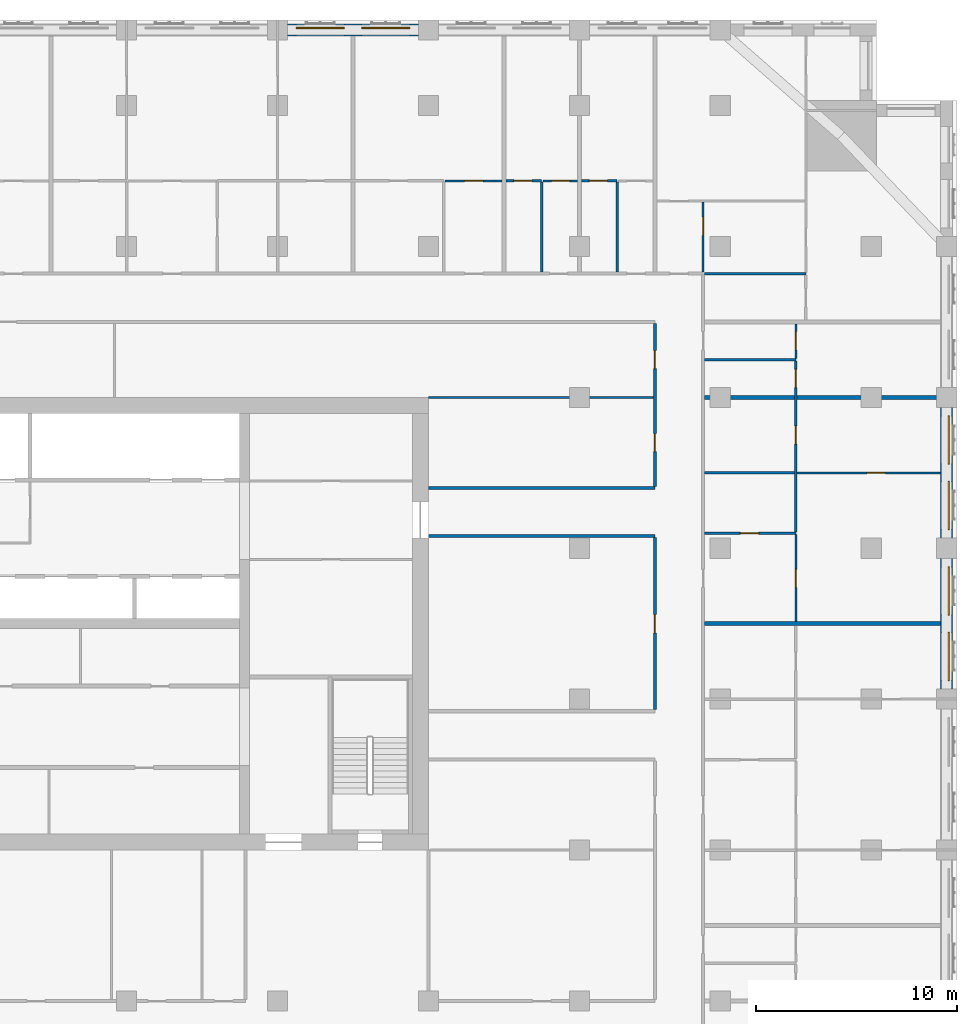
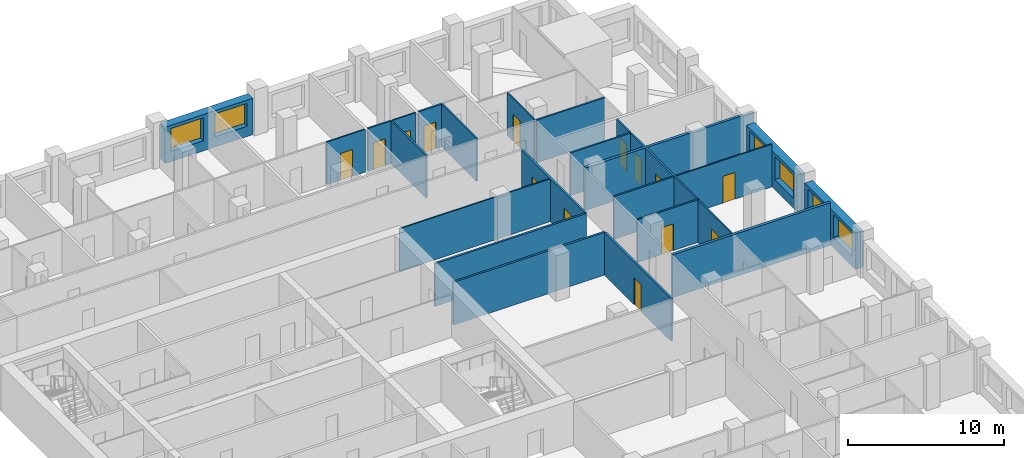
# One storey, part 10 of 14: 25 walls, 14 doors, 6 windows, 20 openings.
"""IFC4 building model written with IfcOpenShell, lengths in metres."""

from ifc_helpers import new_model, si_unit, direction, frame, frame_2d, origin, place, context, subcontext, project, spatial, rectangle, extrude, material, layer, layer_set, type_object, element, fill, save


model = new_model("IFC4")

# Units and contexts
model_context = context("Model", 3, precision=1e-05, world=origin(), true_north=direction((0.0, 1.0)))
body_context = subcontext(model_context, "Body", "Model", "MODEL_VIEW")
ifc_project = project(units=[si_unit("LENGTHUNIT", "METRE"), si_unit("AREAUNIT", "SQUARE_METRE"), si_unit("VOLUMEUNIT", "CUBIC_METRE"), si_unit("PLANEANGLEUNIT", "RADIAN"), si_unit("MASSUNIT", "GRAM", prefix="KILO")], contexts=[model_context])

# Site, building, storey
site_placement = place(None, origin())
site = spatial("IfcSite", under=ifc_project, at=site_placement, CompositionType="ELEMENT")
building_placement = place(site_placement, origin())
building = spatial("IfcBuilding", under=site, at=building_placement, Name="Tamorin Gate", CompositionType="ELEMENT")
storey_placement = place(building_placement, frame((0.0, 0.0, 137.39990234375)))
storey = spatial("IfcBuildingStorey", under=building, at=storey_placement, Name="L33", CompositionType="ELEMENT", Elevation=137.39990234375)

# Wall, openings, windows
ifc_material_1 = material(Name="Precast concrete C40/50", Category="concrete")
ifc_layer_1 = layer(ifc_material_1, 0.60009765625)
ifc_layer_set_1 = layer_set([ifc_layer_1], Name="Precast concrete C40/50")
wall_type_1 = type_object("IfcWallType", Name="Board-marked concrete facade panel 600", PredefinedType="SOLIDWALL", material=ifc_layer_set_1)
wall_1_placement = place(storey_placement, frame((85.75, 68.0, 0.0), z_axis=(0.0, 0.0, 1.0), x_axis=(0.0, 1.0, 0.0)))
wall_1 = element("IfcWall", 1, at=wall_1_placement, inside=storey, type_object=wall_type_1, Name="Facade panel", PredefinedType="SOLIDWALL", context=body_context, shape_type="SweptSolid", body=[
    extrude(rectangle(XDim=6.5, YDim=0.60009765625, at=frame_2d((3.25, 0.0))), origin(), (0.0, 0.0, 1.0), 2.85009765625),
])
opening_1_placement = place(wall_1_placement, frame((0.425048828125, 0.0, 0.800048828125)))
opening_1 = element("IfcOpeningElement", 2, at=opening_1_placement, cuts=wall_1, Name="Opening WN1", PredefinedType="OPENING", context=body_context, shape_type="SweptSolid", body=[
    extrude(rectangle(XDim=2.39990234375, YDim=1.800048828125, at=frame_2d((1.199951171875, 0.89990234375))), frame((0.0, 0.31005859375, 0.0), z_axis=(0.0, -1.0, 0.0), x_axis=(1.0, 0.0, 0.0)), (0.0, 0.0, 1.0), 0.6201171875),
])
opening_2_placement = place(wall_1_placement, frame((3.675048828125, 0.0, 0.800048828125)))
opening_2 = element("IfcOpeningElement", 3, at=opening_2_placement, cuts=wall_1, Name="Opening WN1", PredefinedType="OPENING", context=body_context, shape_type="SweptSolid", body=[
    extrude(rectangle(XDim=2.39990234375, YDim=1.800048828125, at=frame_2d((1.199951171875, 0.89990234375))), frame((0.0, 0.31005859375, 0.0), z_axis=(0.0, -1.0, 0.0), x_axis=(1.0, 0.0, 0.0)), (0.0, 0.0, 1.0), 0.6201171875),
])
ifc_material_2 = material(Name="Clear glass in aluminium frame", Category="aluminium")
window_type = type_object("IfcWindowType", Name="Deep-set window 2400x1800", PartitioningType="SINGLE_PANEL", PredefinedType="WINDOW", material=ifc_material_2)
window_1_placement = place(opening_1_placement, origin())
window_1 = element("IfcWindow", 4, at=window_1_placement, inside=storey, type_object=window_type, Name="Deep-set window", OverallHeight=1.800048828125, OverallWidth=2.39990234375, PartitioningType="SINGLE_PANEL", PredefinedType="WINDOW", context=body_context, shape_type="SweptSolid", body=[
    extrude(rectangle(XDim=2.39990234375, YDim=1.800048828125, at=frame_2d((1.199951171875, 0.89990234375))), frame((0.0, -0.070068359375, 0.0), z_axis=(0.0, -1.0, 0.0), x_axis=(1.0, 0.0, 0.0)), (0.0, 0.0, 1.0), 0.06005859375),
])
fill(opening_1, window_1)
window_2_placement = place(opening_2_placement, origin())
window_2 = element("IfcWindow", 5, at=window_2_placement, inside=storey, type_object=window_type, Name="Deep-set window", OverallHeight=1.800048828125, OverallWidth=2.39990234375, PartitioningType="SINGLE_PANEL", PredefinedType="WINDOW", context=body_context, shape_type="SweptSolid", body=[
    extrude(rectangle(XDim=2.39990234375, YDim=1.800048828125, at=frame_2d((1.199951171875, 0.89990234375))), frame((0.0, -0.070068359375, 0.0), z_axis=(0.0, -1.0, 0.0), x_axis=(1.0, 0.0, 0.0)), (0.0, 0.0, 1.0), 0.06005859375),
])
fill(opening_2, window_2)

wall_2_placement = place(storey_placement, frame((85.75, 75.5, 0.0), z_axis=(0.0, 0.0, 1.0), x_axis=(0.0, 1.0, 0.0)))
wall_2 = element("IfcWall", 6, at=wall_2_placement, inside=storey, type_object=wall_type_1, Name="Facade panel", PredefinedType="SOLIDWALL", context=body_context, shape_type="SweptSolid", body=[
    extrude(rectangle(XDim=6.5, YDim=0.60009765625, at=frame_2d((3.25, 0.0))), origin(), (0.0, 0.0, 1.0), 2.85009765625),
])
opening_3_placement = place(wall_2_placement, frame((0.425048828125, 0.0, 0.800048828125)))
opening_3 = element("IfcOpeningElement", 7, at=opening_3_placement, cuts=wall_2, Name="Opening WN1", PredefinedType="OPENING", context=body_context, shape_type="SweptSolid", body=[
    extrude(rectangle(XDim=2.39990234375, YDim=1.800048828125, at=frame_2d((1.199951171875, 0.89990234375))), frame((0.0, 0.31005859375, 0.0), z_axis=(0.0, -1.0, 0.0), x_axis=(1.0, 0.0, 0.0)), (0.0, 0.0, 1.0), 0.6201171875),
])
opening_4_placement = place(wall_2_placement, frame((3.675048828125, 0.0, 0.800048828125)))
opening_4 = element("IfcOpeningElement", 8, at=opening_4_placement, cuts=wall_2, Name="Opening WN1", PredefinedType="OPENING", context=body_context, shape_type="SweptSolid", body=[
    extrude(rectangle(XDim=2.39990234375, YDim=1.800048828125, at=frame_2d((1.199951171875, 0.89990234375))), frame((0.0, 0.31005859375, 0.0), z_axis=(0.0, -1.0, 0.0), x_axis=(1.0, 0.0, 0.0)), (0.0, 0.0, 1.0), 0.6201171875),
])
window_3_placement = place(opening_3_placement, origin())
window_3 = element("IfcWindow", 9, at=window_3_placement, inside=storey, type_object=window_type, Name="Deep-set window", OverallHeight=1.800048828125, OverallWidth=2.39990234375, PartitioningType="SINGLE_PANEL", PredefinedType="WINDOW", context=body_context, shape_type="SweptSolid", body=[
    extrude(rectangle(XDim=2.39990234375, YDim=1.800048828125, at=frame_2d((1.199951171875, 0.89990234375))), frame((0.0, -0.070068359375, 0.0), z_axis=(0.0, -1.0, 0.0), x_axis=(1.0, 0.0, 0.0)), (0.0, 0.0, 1.0), 0.06005859375),
])
fill(opening_3, window_3)
window_4_placement = place(opening_4_placement, origin())
window_4 = element("IfcWindow", 10, at=window_4_placement, inside=storey, type_object=window_type, Name="Deep-set window", OverallHeight=1.800048828125, OverallWidth=2.39990234375, PartitioningType="SINGLE_PANEL", PredefinedType="WINDOW", context=body_context, shape_type="SweptSolid", body=[
    extrude(rectangle(XDim=2.39990234375, YDim=1.800048828125, at=frame_2d((1.199951171875, 0.89990234375))), frame((0.0, -0.070068359375, 0.0), z_axis=(0.0, -1.0, 0.0), x_axis=(1.0, 0.0, 0.0)), (0.0, 0.0, 1.0), 0.06005859375),
])
fill(opening_4, window_4)

wall_3_placement = place(storey_placement, frame((59.5, 100.75, 0.0), z_axis=(0.0, 0.0, 1.0), x_axis=(-1.0, 0.0, 0.0)))
wall_3 = element("IfcWall", 11, at=wall_3_placement, inside=storey, type_object=wall_type_1, Name="Facade panel", PredefinedType="SOLIDWALL", context=body_context, shape_type="SweptSolid", body=[
    extrude(rectangle(XDim=6.5, YDim=0.60009765625, at=frame_2d((3.25, 0.0))), origin(), (0.0, 0.0, 1.0), 2.85009765625),
])
opening_5_placement = place(wall_3_placement, frame((3.675048828125, 0.0, 0.800048828125)))
opening_5 = element("IfcOpeningElement", 12, at=opening_5_placement, cuts=wall_3, Name="Opening WN1", PredefinedType="OPENING", context=body_context, shape_type="SweptSolid", body=[
    extrude(rectangle(XDim=2.39990234375, YDim=1.800048828125, at=frame_2d((1.199951171875, 0.89990234375))), frame((0.0, 0.31005859375, 0.0), z_axis=(0.0, -1.0, 0.0), x_axis=(1.0, 0.0, 0.0)), (0.0, 0.0, 1.0), 0.6201171875),
])
opening_6_placement = place(wall_3_placement, frame((0.425048828125, 0.0, 0.800048828125)))
opening_6 = element("IfcOpeningElement", 13, at=opening_6_placement, cuts=wall_3, Name="Opening WN1", PredefinedType="OPENING", context=body_context, shape_type="SweptSolid", body=[
    extrude(rectangle(XDim=2.39990234375, YDim=1.800048828125, at=frame_2d((1.199951171875, 0.89990234375))), frame((0.0, 0.31005859375, 0.0), z_axis=(0.0, -1.0, 0.0), x_axis=(1.0, 0.0, 0.0)), (0.0, 0.0, 1.0), 0.6201171875),
])
window_5_placement = place(opening_5_placement, origin())
window_5 = element("IfcWindow", 14, at=window_5_placement, inside=storey, type_object=window_type, Name="Deep-set window", OverallHeight=1.800048828125, OverallWidth=2.39990234375, PartitioningType="SINGLE_PANEL", PredefinedType="WINDOW", context=body_context, shape_type="SweptSolid", body=[
    extrude(rectangle(XDim=2.39990234375, YDim=1.800048828125, at=frame_2d((1.199951171875, 0.89990234375))), frame((0.0, -0.070068359375, 0.0), z_axis=(0.0, -1.0, 0.0), x_axis=(1.0, 0.0, 0.0)), (0.0, 0.0, 1.0), 0.06005859375),
])
fill(opening_5, window_5)
window_6_placement = place(opening_6_placement, origin())
window_6 = element("IfcWindow", 15, at=window_6_placement, inside=storey, type_object=window_type, Name="Deep-set window", OverallHeight=1.800048828125, OverallWidth=2.39990234375, PartitioningType="SINGLE_PANEL", PredefinedType="WINDOW", context=body_context, shape_type="SweptSolid", body=[
    extrude(rectangle(XDim=2.39990234375, YDim=1.800048828125, at=frame_2d((1.199951171875, 0.89990234375))), frame((0.0, -0.070068359375, 0.0), z_axis=(0.0, -1.0, 0.0), x_axis=(1.0, 0.0, 0.0)), (0.0, 0.0, 1.0), 0.06005859375),
])
fill(opening_6, window_6)

# Wall, opening, door
ifc_material_3 = material(Name="Gypsum board partition")
ifc_layer_2 = layer(ifc_material_3, 0.14990234375)
ifc_layer_set_2 = layer_set([ifc_layer_2], Name="Corridor wall 150")
wall_type_2 = type_object("IfcWallType", Name="Corridor wall 150", PredefinedType="PARTITIONING", material=ifc_layer_set_2)
wall_4_placement = place(storey_placement, frame((71.25, 66.97509765625, 0.0), z_axis=(0.0, 0.0, 1.0), x_axis=(0.0, 1.0, 0.0)))
wall_4 = element("IfcWall", 16, at=wall_4_placement, inside=storey, type_object=wall_type_2, Name="Corridor wall 150", PredefinedType="PARTITIONING", context=body_context, shape_type="SweptSolid", body=[
    extrude(rectangle(XDim=8.5498046875, YDim=0.14990234375, at=frame_2d((4.27490234375, 0.0))), origin(), (0.0, 0.0, 1.0), 3.35009765625),
])
opening_7_placement = place(wall_4_placement, frame((3.824951171875, 0.0, 0.0)))
opening_7 = element("IfcOpeningElement", 17, at=opening_7_placement, cuts=wall_4, Name="Opening DS3076", PredefinedType="OPENING", context=body_context, shape_type="SweptSolid", body=[
    extrude(rectangle(XDim=0.89990234375, YDim=2.10009765625, at=frame_2d((0.449951171875, 1.050048828125))), frame((0.0, 0.0849609375, 0.0), z_axis=(0.0, -1.0, 0.0), x_axis=(1.0, 0.0, 0.0)), (0.0, 0.0, 1.0), 0.169921875),
])
ifc_material_4 = material(Name="Timber door leaf", Category="wood")
door_type_1 = type_object("IfcDoorType", Name="Door 900 x 2100 FD30S", OperationType="NOTDEFINED", PredefinedType="DOOR", material=ifc_material_4)
door_1_placement = place(opening_7_placement, origin())
door_1 = element("IfcDoor", 18, at=door_1_placement, inside=storey, type_object=door_type_1, Name="Door DS3076", OperationType="SINGLE_SWING_LEFT", OverallHeight=2.10009765625, OverallWidth=0.89990234375, PredefinedType="DOOR", context=body_context, shape_type="SweptSolid", body=[
    extrude(rectangle(XDim=0.89990234375, YDim=2.10009765625, at=frame_2d((0.449951171875, 1.050048828125))), frame((0.0, 0.02490234375, 0.0), z_axis=(0.0, -1.0, 0.0), x_axis=(1.0, 0.0, 0.0)), (0.0, 0.0, 1.0), 0.050048828125),
])
fill(opening_7, door_1)

# Wall, openings, doors
wall_5_placement = place(storey_placement, frame((71.25, 78.074951171875, 0.0), z_axis=(0.0, 0.0, 1.0), x_axis=(0.0, 1.0, 0.0)))
wall_5 = element("IfcWall", 19, at=wall_5_placement, inside=storey, type_object=wall_type_2, Name="Corridor wall 150", PredefinedType="PARTITIONING", context=body_context, shape_type="SweptSolid", body=[
    extrude(rectangle(XDim=8.10009765625, YDim=0.14990234375, at=frame_2d((4.050048828125, 0.0))), origin(), (0.0, 0.0, 1.0), 3.35009765625),
])
opening_8_placement = place(wall_5_placement, frame((5.85009765625, 0.0, 0.0)))
opening_8 = element("IfcOpeningElement", 20, at=opening_8_placement, cuts=wall_5, Name="Opening DS3074", PredefinedType="OPENING", context=body_context, shape_type="SweptSolid", body=[
    extrude(rectangle(XDim=0.89990234375, YDim=2.10009765625, at=frame_2d((0.449951171875, 1.050048828125))), frame((0.0, 0.0849609375, 0.0), z_axis=(0.0, -1.0, 0.0), x_axis=(1.0, 0.0, 0.0)), (0.0, 0.0, 1.0), 0.169921875),
])
opening_9_placement = place(wall_5_placement, frame((1.72509765625, 0.0, 0.0)))
opening_9 = element("IfcOpeningElement", 21, at=opening_9_placement, cuts=wall_5, Name="Opening DS3077", PredefinedType="OPENING", context=body_context, shape_type="SweptSolid", body=[
    extrude(rectangle(XDim=0.89990234375, YDim=2.10009765625, at=frame_2d((0.449951171875, 1.050048828125))), frame((0.0, 0.0849609375, 0.0), z_axis=(0.0, -1.0, 0.0), x_axis=(1.0, 0.0, 0.0)), (0.0, 0.0, 1.0), 0.169921875),
])
door_2_placement = place(opening_8_placement, origin())
door_2 = element("IfcDoor", 22, at=door_2_placement, inside=storey, type_object=door_type_1, Name="Door DS3074", OperationType="SINGLE_SWING_LEFT", OverallHeight=2.10009765625, OverallWidth=0.89990234375, PredefinedType="DOOR", context=body_context, shape_type="SweptSolid", body=[
    extrude(rectangle(XDim=0.89990234375, YDim=2.10009765625, at=frame_2d((0.449951171875, 1.050048828125))), frame((0.0, 0.02490234375, 0.0), z_axis=(0.0, -1.0, 0.0), x_axis=(1.0, 0.0, 0.0)), (0.0, 0.0, 1.0), 0.050048828125),
])
fill(opening_8, door_2)
door_3_placement = place(opening_9_placement, origin())
door_3 = element("IfcDoor", 23, at=door_3_placement, inside=storey, type_object=door_type_1, Name="Door DS3077", OperationType="SINGLE_SWING_LEFT", OverallHeight=2.10009765625, OverallWidth=0.89990234375, PredefinedType="DOOR", context=body_context, shape_type="SweptSolid", body=[
    extrude(rectangle(XDim=0.89990234375, YDim=2.10009765625, at=frame_2d((0.449951171875, 1.050048828125))), frame((0.0, 0.02490234375, 0.0), z_axis=(0.0, -1.0, 0.0), x_axis=(1.0, 0.0, 0.0)), (0.0, 0.0, 1.0), 0.050048828125),
])
fill(opening_9, door_3)

# Walls
ifc_layer_3 = layer(ifc_material_3, 0.199951171875)
ifc_layer_set_3 = layer_set([ifc_layer_3], Name="Demising wall 200")
wall_type_3 = type_object("IfcWallType", Name="Demising wall 200", PredefinedType="PARTITIONING", material=ifc_layer_set_3)
wall_6_placement = place(storey_placement, frame((73.72509765625, 71.25, 0.0), z_axis=(0.0, 0.0, 1.0), x_axis=(1.0, 0.0, 0.0)))
element("IfcWall", 24, at=wall_6_placement, inside=storey, type_object=wall_type_3, Name="Demising wall 200", PredefinedType="PARTITIONING", context=body_context, shape_type="SweptSolid", body=[
    extrude(rectangle(XDim=11.71484375, YDim=0.199951171875, at=frame_2d((5.857421875, 0.0))), origin(), (0.0, 0.0, 1.0), 3.35009765625),
])
wall_7_placement = place(storey_placement, frame((73.72509765625, 82.5, 0.0), z_axis=(0.0, 0.0, 1.0), x_axis=(1.0, 0.0, 0.0)))
element("IfcWall", 25, at=wall_7_placement, inside=storey, type_object=wall_type_3, Name="Demising wall 200", PredefinedType="PARTITIONING", context=body_context, shape_type="SweptSolid", body=[
    extrude(rectangle(XDim=12.52490234375, YDim=0.199951171875, at=frame_2d((6.262451171875, 0.0))), origin(), (0.0, 0.0, 1.0), 3.35009765625),
])
ifc_layer_4 = layer(ifc_material_3, 0.14990234375)
ifc_layer_set_4 = layer_set([ifc_layer_4], Name="Lobby wall 150")
wall_type_4 = type_object("IfcWallType", Name="Lobby wall 150", PredefinedType="PARTITIONING", material=ifc_layer_set_4)
for number, where, z_axis, x_axis, name in (
    (26, (60.0, 75.60009765625, 0.0), (0.0, 0.0, 1.0), (1.0, 0.0, 0.0), "Lobby wall 150"),
    (27, (60.0, 78.0, 0.0), (0.0, 0.0, 1.0), (1.0, 0.0, 0.0), "Lobby wall 150"),
):
    element("IfcWall", number, at=place(storey_placement, frame(where, z_axis=z_axis, x_axis=x_axis)), inside=storey, type_object=wall_type_4, Name=name, PredefinedType="PARTITIONING", context=body_context, shape_type="SweptSolid", body=[
        extrude(rectangle(XDim=11.25, YDim=0.14990234375, at=frame_2d((5.625, 0.0))), origin(), (0.0, 0.0, 1.0), 3.35009765625),
    ])

# Wall, opening, door
ifc_layer_5 = layer(ifc_material_3, 0.10009765625)
ifc_layer_set_5 = layer_set([ifc_layer_5], Name="Room partition 100")
wall_type_5 = type_object("IfcWallType", Name="Room partition 100", PredefinedType="PARTITIONING", material=ifc_layer_set_5)
wall_8_placement = place(storey_placement, frame((78.3125, 78.75, 0.0), z_axis=(0.0, 0.0, 1.0), x_axis=(1.0, 0.0, 0.0)))
wall_8 = element("IfcWall", 28, at=wall_8_placement, inside=storey, type_object=wall_type_5, Name="Room partition 100", PredefinedType="PARTITIONING", context=body_context, shape_type="SweptSolid", body=[
    extrude(rectangle(XDim=7.12744140625, YDim=0.10009765625, at=frame_2d((3.563720703125, 0.0))), origin(), (0.0, 0.0, 1.0), 3.35009765625),
])
opening_10_placement = place(wall_8_placement, frame((3.487548828125, 0.0, 0.0)))
opening_10 = element("IfcOpeningElement", 29, at=opening_10_placement, cuts=wall_8, Name="Opening DS3052", PredefinedType="OPENING", context=body_context, shape_type="SweptSolid", body=[
    extrude(rectangle(XDim=0.89990234375, YDim=2.10009765625, at=frame_2d((0.449951171875, 1.050048828125))), frame((0.0, 0.06005859375, 0.0), z_axis=(0.0, -1.0, 0.0), x_axis=(1.0, 0.0, 0.0)), (0.0, 0.0, 1.0), 0.1201171875),
])
door_type_2 = type_object("IfcDoorType", Name="Door 900 x 2100", OperationType="NOTDEFINED", PredefinedType="DOOR", material=ifc_material_4)
door_4_placement = place(opening_10_placement, origin())
door_4 = element("IfcDoor", 30, at=door_4_placement, inside=storey, type_object=door_type_2, Name="Door DS3052", OperationType="SINGLE_SWING_RIGHT", OverallHeight=2.10009765625, OverallWidth=0.89990234375, PredefinedType="DOOR", context=body_context, shape_type="SweptSolid", body=[
    extrude(rectangle(XDim=0.89990234375, YDim=2.10009765625, at=frame_2d((0.449951171875, 1.050048828125))), frame((0.0, 0.02490234375, 0.0), z_axis=(0.0, -1.0, 0.0), x_axis=(1.0, 0.0, 0.0)), (0.0, 0.0, 1.0), 0.050048828125),
])
fill(opening_10, door_4)

# Wall
wall_9_placement = place(storey_placement, frame((60.0, 82.5, 0.0), z_axis=(0.0, 0.0, 1.0), x_axis=(1.0, 0.0, 0.0)))
element("IfcWall", 31, at=wall_9_placement, inside=storey, type_object=wall_type_5, Name="Room partition 100", PredefinedType="PARTITIONING", context=body_context, shape_type="SweptSolid", body=[
    extrude(rectangle(XDim=11.175048828125, YDim=0.10009765625, at=frame_2d((5.58740234375, 0.0))), origin(), (0.0, 0.0, 1.0), 3.35009765625),
])

# Wall, opening, door
wall_10_placement = place(storey_placement, frame((60.8125, 93.25, 0.0), z_axis=(0.0, 0.0, 1.0), x_axis=(1.0, 0.0, 0.0)))
wall_10 = element("IfcWall", 32, at=wall_10_placement, inside=storey, type_object=wall_type_5, Name="Room partition 100", PredefinedType="PARTITIONING", context=body_context, shape_type="SweptSolid", body=[
    extrude(rectangle(XDim=2.83740234375, YDim=0.10009765625, at=frame_2d((1.418701171875, 0.0))), origin(), (0.0, 0.0, 1.0), 3.35009765625),
])
opening_11_placement = place(wall_10_placement, frame((0.987548828125, 0.0, 0.0)))
opening_11 = element("IfcOpeningElement", 33, at=opening_11_placement, cuts=wall_10, Name="Opening DS3031", PredefinedType="OPENING", context=body_context, shape_type="SweptSolid", body=[
    extrude(rectangle(XDim=0.89990234375, YDim=2.10009765625, at=frame_2d((0.449951171875, 1.050048828125))), frame((0.0, 0.06005859375, 0.0), z_axis=(0.0, -1.0, 0.0), x_axis=(1.0, 0.0, 0.0)), (0.0, 0.0, 1.0), 0.1201171875),
])
door_5_placement = place(opening_11_placement, origin())
door_5 = element("IfcDoor", 34, at=door_5_placement, inside=storey, type_object=door_type_2, Name="Door DS3031", OperationType="SINGLE_SWING_RIGHT", OverallHeight=2.10009765625, OverallWidth=0.89990234375, PredefinedType="DOOR", context=body_context, shape_type="SweptSolid", body=[
    extrude(rectangle(XDim=0.89990234375, YDim=2.10009765625, at=frame_2d((0.449951171875, 1.050048828125))), frame((0.0, 0.02490234375, 0.0), z_axis=(0.0, -1.0, 0.0), x_axis=(1.0, 0.0, 0.0)), (0.0, 0.0, 1.0), 0.050048828125),
])
fill(opening_11, door_5)

wall_11_placement = place(storey_placement, frame((65.6875, 93.25, 0.0), z_axis=(0.0, 0.0, 1.0), x_axis=(1.0, 0.0, 0.0)))
wall_11 = element("IfcWall", 35, at=wall_11_placement, inside=storey, type_object=wall_type_5, Name="Room partition 100", PredefinedType="PARTITIONING", context=body_context, shape_type="SweptSolid", body=[
    extrude(rectangle(XDim=1.71240234375, YDim=0.10009765625, at=frame_2d((0.856201171875, 0.0))), origin(), (0.0, 0.0, 1.0), 3.35009765625),
])
opening_12_placement = place(wall_11_placement, frame((0.425048828125, 0.0, 0.0)))
opening_12 = element("IfcOpeningElement", 36, at=opening_12_placement, cuts=wall_11, Name="Opening DS3034", PredefinedType="OPENING", context=body_context, shape_type="SweptSolid", body=[
    extrude(rectangle(XDim=0.89990234375, YDim=2.10009765625, at=frame_2d((0.449951171875, 1.050048828125))), frame((0.0, 0.06005859375, 0.0), z_axis=(0.0, -1.0, 0.0), x_axis=(1.0, 0.0, 0.0)), (0.0, 0.0, 1.0), 0.1201171875),
])
door_6_placement = place(opening_12_placement, origin())
door_6 = element("IfcDoor", 37, at=door_6_placement, inside=storey, type_object=door_type_2, Name="Door DS3034", OperationType="SINGLE_SWING_RIGHT", OverallHeight=2.10009765625, OverallWidth=0.89990234375, PredefinedType="DOOR", context=body_context, shape_type="SweptSolid", body=[
    extrude(rectangle(XDim=0.89990234375, YDim=2.10009765625, at=frame_2d((0.449951171875, 1.050048828125))), frame((0.0, 0.02490234375, 0.0), z_axis=(0.0, -1.0, 0.0), x_axis=(1.0, 0.0, 0.0)), (0.0, 0.0, 1.0), 0.050048828125),
])
fill(opening_12, door_6)

wall_12_placement = place(storey_placement, frame((73.64990234375, 88.72509765625, 0.0), z_axis=(0.0, 0.0, 1.0), x_axis=(0.0, 1.0, 0.0)))
wall_12 = element("IfcWall", 38, at=wall_12_placement, inside=storey, type_object=wall_type_5, Name="Room partition 100", PredefinedType="PARTITIONING", context=body_context, shape_type="SweptSolid", body=[
    extrude(rectangle(XDim=3.474853515625, YDim=0.10009765625, at=frame_2d((1.7373046875, 0.0))), origin(), (0.0, 0.0, 1.0), 3.35009765625),
])
opening_13_placement = place(wall_12_placement, frame((1.824951171875, 0.0, 0.0)))
opening_13 = element("IfcOpeningElement", 39, at=opening_13_placement, cuts=wall_12, Name="Opening DS3064", PredefinedType="OPENING", context=body_context, shape_type="SweptSolid", body=[
    extrude(rectangle(XDim=0.89990234375, YDim=2.10009765625, at=frame_2d((0.449951171875, 1.050048828125))), frame((0.0, 0.06005859375, 0.0), z_axis=(0.0, -1.0, 0.0), x_axis=(1.0, 0.0, 0.0)), (0.0, 0.0, 1.0), 0.1201171875),
])
door_7_placement = place(opening_13_placement, origin())
door_7 = element("IfcDoor", 40, at=door_7_placement, inside=storey, type_object=door_type_2, Name="Door DS3064", OperationType="SINGLE_SWING_RIGHT", OverallHeight=2.10009765625, OverallWidth=0.89990234375, PredefinedType="DOOR", context=body_context, shape_type="SweptSolid", body=[
    extrude(rectangle(XDim=0.89990234375, YDim=2.10009765625, at=frame_2d((0.449951171875, 1.050048828125))), frame((0.0, 0.02490234375, 0.0), z_axis=(0.0, -1.0, 0.0), x_axis=(1.0, 0.0, 0.0)), (0.0, 0.0, 1.0), 0.050048828125),
])
fill(opening_13, door_7)

wall_13_placement = place(storey_placement, frame((78.25, 71.35009765625, 0.0), z_axis=(0.0, 0.0, 1.0), x_axis=(0.0, 1.0, 0.0)))
wall_13 = element("IfcWall", 41, at=wall_13_placement, inside=storey, type_object=wall_type_5, Name="Room partition 100", PredefinedType="PARTITIONING", context=body_context, shape_type="SweptSolid", body=[
    extrude(rectangle(XDim=4.33740234375, YDim=0.10009765625, at=frame_2d((2.168701171875, 0.0))), origin(), (0.0, 0.0, 1.0), 3.35009765625),
])
opening_14_placement = place(wall_13_placement, frame((1.699951171875, 0.0, 0.0)))
opening_14 = element("IfcOpeningElement", 42, at=opening_14_placement, cuts=wall_13, Name="Opening DS3049", PredefinedType="OPENING", context=body_context, shape_type="SweptSolid", body=[
    extrude(rectangle(XDim=0.89990234375, YDim=2.10009765625, at=frame_2d((0.449951171875, 1.050048828125))), frame((0.0, 0.06005859375, 0.0), z_axis=(0.0, -1.0, 0.0), x_axis=(1.0, 0.0, 0.0)), (0.0, 0.0, 1.0), 0.1201171875),
])
door_8_placement = place(opening_14_placement, origin())
door_8 = element("IfcDoor", 43, at=door_8_placement, inside=storey, type_object=door_type_2, Name="Door DS3049", OperationType="SINGLE_SWING_LEFT", OverallHeight=2.10009765625, OverallWidth=0.89990234375, PredefinedType="DOOR", context=body_context, shape_type="SweptSolid", body=[
    extrude(rectangle(XDim=0.89990234375, YDim=2.10009765625, at=frame_2d((0.449951171875, 1.050048828125))), frame((0.0, 0.02490234375, 0.0), z_axis=(0.0, -1.0, 0.0), x_axis=(1.0, 0.0, 0.0)), (0.0, 0.0, 1.0), 0.050048828125),
])
fill(opening_14, door_8)

wall_14_placement = place(storey_placement, frame((78.25, 84.4375, 0.0), z_axis=(0.0, 0.0, 1.0), x_axis=(0.0, 1.0, 0.0)))
wall_14 = element("IfcWall", 44, at=wall_14_placement, inside=storey, type_object=wall_type_5, Name="Room partition 100", PredefinedType="PARTITIONING", context=body_context, shape_type="SweptSolid", body=[
    extrude(rectangle(XDim=1.71240234375, YDim=0.10009765625, at=frame_2d((0.856201171875, 0.0))), origin(), (0.0, 0.0, 1.0), 3.35009765625),
])
opening_15_placement = place(wall_14_placement, frame((0.425048828125, 0.0, 0.0)))
opening_15 = element("IfcOpeningElement", 45, at=opening_15_placement, cuts=wall_14, Name="Opening DS3055", PredefinedType="OPENING", context=body_context, shape_type="SweptSolid", body=[
    extrude(rectangle(XDim=0.89990234375, YDim=2.10009765625, at=frame_2d((0.449951171875, 1.050048828125))), frame((0.0, 0.06005859375, 0.0), z_axis=(0.0, -1.0, 0.0), x_axis=(1.0, 0.0, 0.0)), (0.0, 0.0, 1.0), 0.1201171875),
])
door_9_placement = place(opening_15_placement, origin())
door_9 = element("IfcDoor", 46, at=door_9_placement, inside=storey, type_object=door_type_2, Name="Door DS3055", OperationType="SINGLE_SWING_LEFT", OverallHeight=2.10009765625, OverallWidth=0.89990234375, PredefinedType="DOOR", context=body_context, shape_type="SweptSolid", body=[
    extrude(rectangle(XDim=0.89990234375, YDim=2.10009765625, at=frame_2d((0.449951171875, 1.050048828125))), frame((0.0, 0.02490234375, 0.0), z_axis=(0.0, -1.0, 0.0), x_axis=(1.0, 0.0, 0.0)), (0.0, 0.0, 1.0), 0.050048828125),
])
fill(opening_15, door_9)

ifc_layer_6 = layer(ifc_material_3, 0.125)
ifc_layer_set_6 = layer_set([ifc_layer_6], Name="Wet wall 125")
wall_type_6 = type_object("IfcWallType", Name="Wet wall 125", PredefinedType="PARTITIONING", material=ifc_layer_set_6)
wall_15_placement = place(storey_placement, frame((73.72509765625, 75.75, 0.0), z_axis=(0.0, 0.0, 1.0), x_axis=(1.0, 0.0, 0.0)))
wall_15 = element("IfcWall", 47, at=wall_15_placement, inside=storey, type_object=wall_type_6, Name="Wet wall 125", PredefinedType="PARTITIONING", context=body_context, shape_type="SweptSolid", body=[
    extrude(rectangle(XDim=4.52490234375, YDim=0.125, at=frame_2d((2.262451171875, 0.0))), origin(), (0.0, 0.0, 1.0), 3.35009765625),
])
opening_16_placement = place(wall_15_placement, frame((1.77490234375, 0.0, 0.0)))
opening_16 = element("IfcOpeningElement", 48, at=opening_16_placement, cuts=wall_15, Name="Opening DS3050", PredefinedType="OPENING", context=body_context, shape_type="SweptSolid", body=[
    extrude(rectangle(XDim=0.89990234375, YDim=2.10009765625, at=frame_2d((0.449951171875, 1.050048828125))), frame((0.0, 0.072509765625, 0.0), z_axis=(0.0, -1.0, 0.0), x_axis=(1.0, 0.0, 0.0)), (0.0, 0.0, 1.0), 0.14501953125),
])
door_10_placement = place(opening_16_placement, origin())
door_10 = element("IfcDoor", 49, at=door_10_placement, inside=storey, type_object=door_type_2, Name="Door DS3050", OperationType="SINGLE_SWING_RIGHT", OverallHeight=2.10009765625, OverallWidth=0.89990234375, PredefinedType="DOOR", context=body_context, shape_type="SweptSolid", body=[
    extrude(rectangle(XDim=0.89990234375, YDim=2.10009765625, at=frame_2d((0.449951171875, 1.050048828125))), frame((0.0, 0.02490234375, 0.0), z_axis=(0.0, -1.0, 0.0), x_axis=(1.0, 0.0, 0.0)), (0.0, 0.0, 1.0), 0.050048828125),
])
fill(opening_16, door_10)

# Walls
wall_16_placement = place(storey_placement, frame((73.72509765625, 78.75, 0.0), z_axis=(0.0, 0.0, 1.0), x_axis=(1.0, 0.0, 0.0)))
element("IfcWall", 50, at=wall_16_placement, inside=storey, type_object=wall_type_6, Name="Wet wall 125", PredefinedType="PARTITIONING", context=body_context, shape_type="SweptSolid", body=[
    extrude(rectangle(XDim=4.46240234375, YDim=0.125, at=frame_2d((2.231201171875, 0.0))), origin(), (0.0, 0.0, 1.0), 3.35009765625),
])
wall_17_placement = place(storey_placement, frame((73.72509765625, 84.375, 0.0), z_axis=(0.0, 0.0, 1.0), x_axis=(1.0, 0.0, 0.0)))
element("IfcWall", 51, at=wall_17_placement, inside=storey, type_object=wall_type_6, Name="Wet wall 125", PredefinedType="PARTITIONING", context=body_context, shape_type="SweptSolid", body=[
    extrude(rectangle(XDim=4.52490234375, YDim=0.125, at=frame_2d((2.262451171875, 0.0))), origin(), (0.0, 0.0, 1.0), 3.35009765625),
])
wall_18_placement = place(storey_placement, frame((73.72509765625, 88.64990234375, 0.0), z_axis=(0.0, 0.0, 1.0), x_axis=(1.0, 0.0, 0.0)))
element("IfcWall", 52, at=wall_18_placement, inside=storey, type_object=wall_type_6, Name="Wet wall 125", PredefinedType="PARTITIONING", context=body_context, shape_type="SweptSolid", body=[
    extrude(rectangle(XDim=5.02490234375, YDim=0.125, at=frame_2d((2.512451171875, 0.0))), origin(), (0.0, 0.0, 1.0), 3.35009765625),
])

# Wall, opening, door
wall_19_placement = place(storey_placement, frame((63.85009765625, 93.25, 0.0), z_axis=(0.0, 0.0, 1.0), x_axis=(1.0, 0.0, 0.0)))
wall_19 = element("IfcWall", 53, at=wall_19_placement, inside=storey, type_object=wall_type_6, Name="Wet wall 125", PredefinedType="PARTITIONING", context=body_context, shape_type="SweptSolid", body=[
    extrude(rectangle(XDim=1.77490234375, YDim=0.125, at=frame_2d((0.887451171875, 0.0))), origin(), (0.0, 0.0, 1.0), 3.35009765625),
])
opening_17_placement = place(wall_19_placement, frame((0.387451171875, 0.0, 0.0)))
opening_17 = element("IfcOpeningElement", 54, at=opening_17_placement, cuts=wall_19, Name="Opening DS3032", PredefinedType="OPENING", context=body_context, shape_type="SweptSolid", body=[
    extrude(rectangle(XDim=0.89990234375, YDim=2.10009765625, at=frame_2d((0.449951171875, 1.050048828125))), frame((0.0, 0.072509765625, 0.0), z_axis=(0.0, -1.0, 0.0), x_axis=(1.0, 0.0, 0.0)), (0.0, 0.0, 1.0), 0.14501953125),
])
door_11_placement = place(opening_17_placement, origin())
door_11 = element("IfcDoor", 55, at=door_11_placement, inside=storey, type_object=door_type_2, Name="Door DS3032", OperationType="SINGLE_SWING_RIGHT", OverallHeight=2.10009765625, OverallWidth=0.89990234375, PredefinedType="DOOR", context=body_context, shape_type="SweptSolid", body=[
    extrude(rectangle(XDim=0.89990234375, YDim=2.10009765625, at=frame_2d((0.449951171875, 1.050048828125))), frame((0.0, 0.02490234375, 0.0), z_axis=(0.0, -1.0, 0.0), x_axis=(1.0, 0.0, 0.0)), (0.0, 0.0, 1.0), 0.050048828125),
])
fill(opening_17, door_11)

wall_20_placement = place(storey_placement, frame((67.60009765625, 93.25, 0.0), z_axis=(0.0, 0.0, 1.0), x_axis=(1.0, 0.0, 0.0)))
wall_20 = element("IfcWall", 56, at=wall_20_placement, inside=storey, type_object=wall_type_6, Name="Wet wall 125", PredefinedType="PARTITIONING", context=body_context, shape_type="SweptSolid", body=[
    extrude(rectangle(XDim=1.77490234375, YDim=0.125, at=frame_2d((0.887451171875, 0.0))), origin(), (0.0, 0.0, 1.0), 3.35009765625),
])
opening_18_placement = place(wall_20_placement, frame((0.387451171875, 0.0, 0.0)))
opening_18 = element("IfcOpeningElement", 57, at=opening_18_placement, cuts=wall_20, Name="Opening DS3035", PredefinedType="OPENING", context=body_context, shape_type="SweptSolid", body=[
    extrude(rectangle(XDim=0.89990234375, YDim=2.10009765625, at=frame_2d((0.449951171875, 1.050048828125))), frame((0.0, 0.072509765625, 0.0), z_axis=(0.0, -1.0, 0.0), x_axis=(1.0, 0.0, 0.0)), (0.0, 0.0, 1.0), 0.14501953125),
])
door_12_placement = place(opening_18_placement, origin())
door_12 = element("IfcDoor", 58, at=door_12_placement, inside=storey, type_object=door_type_2, Name="Door DS3035", OperationType="SINGLE_SWING_RIGHT", OverallHeight=2.10009765625, OverallWidth=0.89990234375, PredefinedType="DOOR", context=body_context, shape_type="SweptSolid", body=[
    extrude(rectangle(XDim=0.89990234375, YDim=2.10009765625, at=frame_2d((0.449951171875, 1.050048828125))), frame((0.0, 0.02490234375, 0.0), z_axis=(0.0, -1.0, 0.0), x_axis=(1.0, 0.0, 0.0)), (0.0, 0.0, 1.0), 0.050048828125),
])
fill(opening_18, door_12)

# Walls
for number, where, z_axis, x_axis, name in (
    (59, (65.625, 88.72509765625, 0.0), (0.0, 0.0, 1.0), (0.0, 1.0, 0.0), "Wet wall 125"),
    (60, (69.375, 88.72509765625, 0.0), (0.0, 0.0, 1.0), (0.0, 1.0, 0.0), "Wet wall 125"),
):
    element("IfcWall", number, at=place(storey_placement, frame(where, z_axis=z_axis, x_axis=x_axis)), inside=storey, type_object=wall_type_6, Name=name, PredefinedType="PARTITIONING", context=body_context, shape_type="SweptSolid", body=[
        extrude(rectangle(XDim=4.46240234375, YDim=0.125, at=frame_2d((2.231201171875, 0.0))), origin(), (0.0, 0.0, 1.0), 3.35009765625),
    ])

# Wall, openings, doors
wall_21_placement = place(storey_placement, frame((78.25, 75.8125, 0.0), z_axis=(0.0, 0.0, 1.0), x_axis=(0.0, 1.0, 0.0)))
wall_21 = element("IfcWall", 61, at=wall_21_placement, inside=storey, type_object=wall_type_6, Name="Wet wall 125", PredefinedType="PARTITIONING", context=body_context, shape_type="SweptSolid", body=[
    extrude(rectangle(XDim=8.5, YDim=0.125, at=frame_2d((4.25, 0.0))), origin(), (0.0, 0.0, 1.0), 3.35009765625),
])
opening_19_placement = place(wall_21_placement, frame((4.362548828125, 0.0, 0.0)))
opening_19 = element("IfcOpeningElement", 62, at=opening_19_placement, cuts=wall_21, Name="Opening DS3051", PredefinedType="OPENING", context=body_context, shape_type="SweptSolid", body=[
    extrude(rectangle(XDim=0.89990234375, YDim=2.10009765625, at=frame_2d((0.449951171875, 1.050048828125))), frame((0.0, 0.072509765625, 0.0), z_axis=(0.0, -1.0, 0.0), x_axis=(1.0, 0.0, 0.0)), (0.0, 0.0, 1.0), 0.14501953125),
])
opening_20_placement = place(wall_21_placement, frame((7.175048828125, 0.0, 0.0)))
opening_20 = element("IfcOpeningElement", 63, at=opening_20_placement, cuts=wall_21, Name="Opening DS3053", PredefinedType="OPENING", context=body_context, shape_type="SweptSolid", body=[
    extrude(rectangle(XDim=0.89990234375, YDim=2.10009765625, at=frame_2d((0.449951171875, 1.050048828125))), frame((0.0, 0.072509765625, 0.0), z_axis=(0.0, -1.0, 0.0), x_axis=(1.0, 0.0, 0.0)), (0.0, 0.0, 1.0), 0.14501953125),
])
door_13_placement = place(opening_19_placement, origin())
door_13 = element("IfcDoor", 64, at=door_13_placement, inside=storey, type_object=door_type_2, Name="Door DS3051", OperationType="SINGLE_SWING_LEFT", OverallHeight=2.10009765625, OverallWidth=0.89990234375, PredefinedType="DOOR", context=body_context, shape_type="SweptSolid", body=[
    extrude(rectangle(XDim=0.89990234375, YDim=2.10009765625, at=frame_2d((0.449951171875, 1.050048828125))), frame((0.0, 0.02490234375, 0.0), z_axis=(0.0, -1.0, 0.0), x_axis=(1.0, 0.0, 0.0)), (0.0, 0.0, 1.0), 0.050048828125),
])
fill(opening_19, door_13)
door_14_placement = place(opening_20_placement, origin())
door_14 = element("IfcDoor", 65, at=door_14_placement, inside=storey, type_object=door_type_2, Name="Door DS3053", OperationType="SINGLE_SWING_LEFT", OverallHeight=2.10009765625, OverallWidth=0.89990234375, PredefinedType="DOOR", context=body_context, shape_type="SweptSolid", body=[
    extrude(rectangle(XDim=0.89990234375, YDim=2.10009765625, at=frame_2d((0.449951171875, 1.050048828125))), frame((0.0, 0.02490234375, 0.0), z_axis=(0.0, -1.0, 0.0), x_axis=(1.0, 0.0, 0.0)), (0.0, 0.0, 1.0), 0.050048828125),
])
fill(opening_20, door_14)

save(model, "model.ifc")
